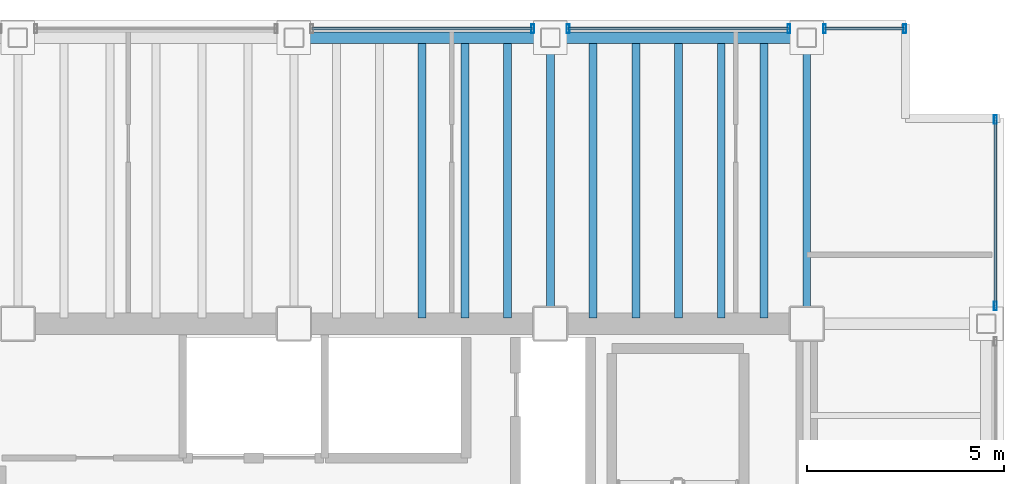
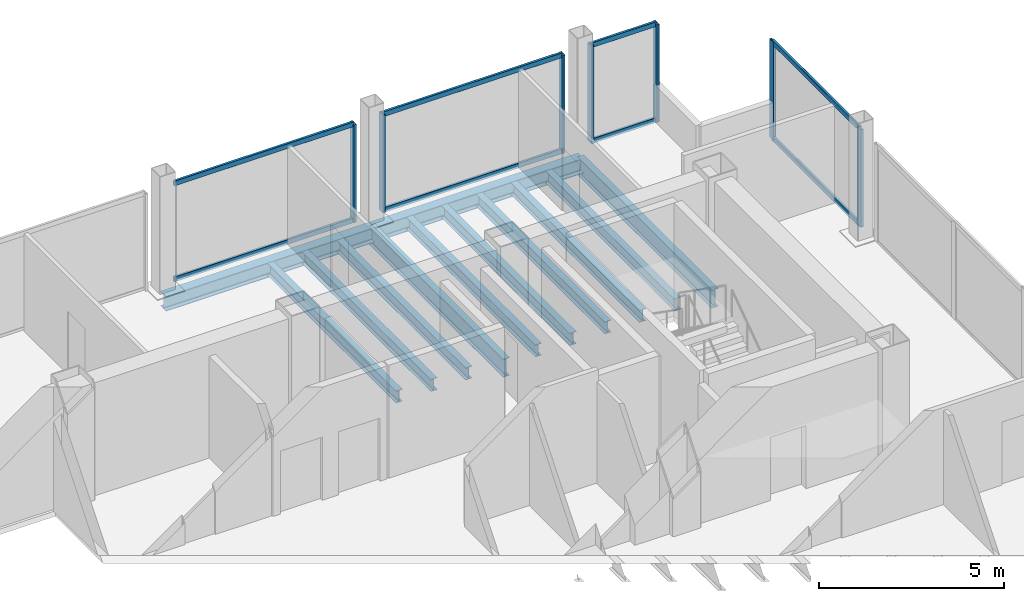
# One storey, part 14 of 19: 15 members, 12 beams, 4 elements without a shape of their own.
"""IFC4 building model written with IfcOpenShell, lengths in metres."""

from ifc_helpers import new_model, si_unit, direction, frame, origin, origin_2d, place, context, subcontext, project, spatial, hollow_rectangle, i_section, extrude, material, material_profile, profile_set, type_object, element, aggregate, save


model = new_model("IFC4")

# Units and contexts
model_context = context("Model", 3, precision=1e-05, world=origin(), true_north=direction((0.0, 1.0)))
body_context = subcontext(model_context, "Body", "Model", "MODEL_VIEW")
ifc_project = project(units=[si_unit("LENGTHUNIT", "METRE"), si_unit("AREAUNIT", "SQUARE_METRE"), si_unit("VOLUMEUNIT", "CUBIC_METRE"), si_unit("PLANEANGLEUNIT", "RADIAN"), si_unit("MASSUNIT", "GRAM", prefix="KILO")], contexts=[model_context])

# Site, building, storey
site_placement = place(None, origin())
site = spatial("IfcSite", under=ifc_project, at=site_placement, CompositionType="ELEMENT")
building_placement = place(site_placement, origin())
building = spatial("IfcBuilding", under=site, at=building_placement, Name="Noeulbin Bourse Tower", CompositionType="ELEMENT")
storey_placement = place(building_placement, frame((0.0, 0.0, 146.10009765625)))
storey = spatial("IfcBuildingStorey", under=building, at=storey_placement, Name="L36", CompositionType="ELEMENT", Elevation=146.10009765625)

# Beams
ifc_material_1 = material(Name="Steel S355", Category="steel")
ifc_material_profile_1 = material_profile(ifc_material_1, i_section(OverallWidth=0.199951171875, OverallDepth=0.60009765625, WebThickness=0.010986328125, FlangeThickness=0.01708984375, FilletRadius=0.02197265625, at=origin_2d()), Name="H-600x200x11x17", Category="LoadBearing")
ifc_profile_set_1 = profile_set([ifc_material_profile_1], Name="Steel S355")
beam_type_1 = type_object("IfcBeamType", Name="BM-GRD-600", PredefinedType="USERDEFINED", material=ifc_profile_set_1)
for number, where, z_axis, x_axis, name in (
    (1, (37.5, 38.300048828125, -0.47998046875), (0.0, 1.0, 0.0), (-1.0, 0.0, 0.0), "Tower Primary Girder NS L36-4.4"),
    (2, (44.0, 38.300048828125, -0.47998046875), (0.0, 1.0, 0.0), (-1.0, 0.0, 0.0), "Tower Primary Girder NS L36-5.4"),
):
    element("IfcBeam", number, at=place(storey_placement, frame(where, z_axis=z_axis, x_axis=x_axis)), inside=storey, type_object=beam_type_1, Name=name, ObjectType="GIRDER", PredefinedType="USERDEFINED", context=body_context, shape_type="SweptSolid", body=[
        extrude(i_section(OverallWidth=0.199951171875, OverallDepth=0.60009765625, WebThickness=0.010986328125, FlangeThickness=0.01708984375, FilletRadius=0.02197265625, at=origin_2d()), origin(), (0.0, 0.0, 1.0), 7.25),
    ])
ifc_material_profile_2 = material_profile(ifc_material_1, i_section(OverallWidth=0.199951171875, OverallDepth=0.39990234375, WebThickness=0.008056640625, FlangeThickness=0.012939453125, FilletRadius=0.01611328125, at=origin_2d()), Name="H-400x200x8x13", Category="LoadBearing")
ifc_profile_set_2 = profile_set([ifc_material_profile_2], Name="Steel S355")
beam_type_2 = type_object("IfcBeamType", Name="BM-SEC-400", PredefinedType="BEAM", material=ifc_profile_set_2)
for number, where, z_axis, x_axis, name in (
    (3, (34.25, 38.449951171875, -0.380126953125), (0.0, 1.0, 0.0), (-1.0, 0.0, 0.0), "Tower Composite Joist L36-48"),
    (4, (35.333251953125, 38.449951171875, -0.380126953125), (0.0, 1.0, 0.0), (-1.0, 0.0, 0.0), "Tower Composite Joist L36-51"),
    (5, (36.416748046875, 38.449951171875, -0.380126953125), (0.0, 1.0, 0.0), (-1.0, 0.0, 0.0), "Tower Composite Joist L36-54"),
    (6, (38.583251953125, 38.449951171875, -0.380126953125), (0.0, 1.0, 0.0), (-1.0, 0.0, 0.0), "Tower Composite Joist L36-57"),
    (7, (39.666748046875, 38.449951171875, -0.380126953125), (0.0, 1.0, 0.0), (-1.0, 0.0, 0.0), "Tower Composite Joist L36-60"),
    (8, (40.75, 38.449951171875, -0.380126953125), (0.0, 1.0, 0.0), (-1.0, 0.0, 0.0), "Tower Composite Joist L36-63"),
    (9, (41.833251953125, 38.449951171875, -0.380126953125), (0.0, 1.0, 0.0), (-1.0, 0.0, 0.0), "Tower Composite Joist L36-66"),
    (10, (42.916748046875, 38.449951171875, -0.380126953125), (0.0, 1.0, 0.0), (-1.0, 0.0, 0.0), "Tower Composite Joist L36-69"),
):
    element("IfcBeam", number, at=place(storey_placement, frame(where, z_axis=z_axis, x_axis=x_axis)), inside=storey, type_object=beam_type_2, Name=name, PredefinedType="BEAM", context=body_context, shape_type="SweptSolid", body=[
        extrude(i_section(OverallWidth=0.199951171875, OverallDepth=0.39990234375, WebThickness=0.008056640625, FlangeThickness=0.012939453125, FilletRadius=0.01611328125, at=origin_2d()), origin(), (0.0, 0.0, 1.0), 6.949951171875),
    ])
ifc_material_profile_3 = material_profile(ifc_material_1, i_section(OverallWidth=0.300048828125, OverallDepth=0.488037109375, WebThickness=0.010986328125, FlangeThickness=0.01806640625, FilletRadius=0.02197265625, at=origin_2d()), Name="H-488x300x11x18", Category="LoadBearing")
ifc_profile_set_3 = profile_set([ifc_material_profile_3], Name="Steel S355")
beam_type_3 = type_object("IfcBeamType", Name="BM-SPN-488", PredefinedType="SPANDREL", material=ifc_profile_set_3)
for number, where, z_axis, x_axis, name in (
    (11, (31.0, 45.550048828125, -0.424072265625), (1.0, 0.0, 0.0), (0.0, 1.0, 0.0), "North Spandrel L36-3"),
    (12, (37.5, 45.550048828125, -0.424072265625), (1.0, 0.0, 0.0), (0.0, 1.0, 0.0), "North Spandrel L36-4"),
):
    element("IfcBeam", number, at=place(storey_placement, frame(where, z_axis=z_axis, x_axis=x_axis)), inside=storey, type_object=beam_type_3, Name=name, PredefinedType="SPANDREL", context=body_context, shape_type="SweptSolid", body=[
        extrude(i_section(OverallWidth=0.300048828125, OverallDepth=0.488037109375, WebThickness=0.010986328125, FlangeThickness=0.01806640625, FilletRadius=0.02197265625, at=origin_2d()), origin(), (0.0, 0.0, 1.0), 6.5),
    ])

# Curtain wall, member
ifc_material_2 = material(Name="Dark Tinted Triple Glazing", Category="glass")
curtain_wall_type = type_object("IfcCurtainWallType", Name="CW-SYS-3", PredefinedType="NOTDEFINED", material=ifc_material_2)
curtain_wall_1_placement = place(storey_placement, origin())
curtain_wall_1 = element("IfcCurtainWall", 13, at=curtain_wall_1_placement, inside=storey, type_object=curtain_wall_type, Name="Unitised Curtain Wall CW-L36-N-S4", PredefinedType="NOTDEFINED")
ifc_material_3 = material(Name="Anodised Aluminium 6063-T6", Category="aluminium")
ifc_material_profile_4 = material_profile(ifc_material_3, hollow_rectangle(XDim=0.074951171875, YDim=0.219970703125, WallThickness=0.0048828125, InnerFilletRadius=0.00244140625, OuterFilletRadius=0.0048828125, at=origin_2d()), Name="ALU-MULL-75x220x5", Category="LoadBearing")
ifc_profile_set_4 = profile_set([ifc_material_profile_4], Name="Anodised Aluminium 6063-T6")
member_type_1 = type_object("IfcMemberType", Name="CW-SYS-3-MUL", PredefinedType="MULLION", material=ifc_profile_set_4)
member_1_placement = place(storey_placement, frame((37.050048828125, 45.780029296875, -0.02001953125), z_axis=(0.0, 0.0, 1.0), x_axis=(1.0, 0.0, 0.0)))
member_1 = element("IfcMember", 14, at=member_1_placement, type_object=member_type_1, Name="Curtain Wall Mullion CW-L36-N-S4-M01", PredefinedType="MULLION", context=body_context, shape_type="SweptSolid", body=[
    extrude(hollow_rectangle(XDim=0.074951171875, YDim=0.219970703125, WallThickness=0.0048828125, InnerFilletRadius=0.00244140625, OuterFilletRadius=0.0048828125, at=origin_2d()), origin(), (0.0, 0.0, 1.0), 3.219970703125),
])

# Curtain wall, members
curtain_wall_2_placement = place(storey_placement, origin())
curtain_wall_2 = element("IfcCurtainWall", 15, at=curtain_wall_2_placement, inside=storey, type_object=curtain_wall_type, Name="Unitised Curtain Wall CW-L36-N-S5", PredefinedType="NOTDEFINED")
member_2_placement = place(storey_placement, frame((37.949951171875, 45.780029296875, -0.02001953125), z_axis=(0.0, 0.0, 1.0), x_axis=(1.0, 0.0, 0.0)))
member_2 = element("IfcMember", 16, at=member_2_placement, type_object=member_type_1, Name="Curtain Wall Mullion CW-L36-N-S5-M00", PredefinedType="MULLION", context=body_context, shape_type="SweptSolid", body=[
    extrude(hollow_rectangle(XDim=0.074951171875, YDim=0.219970703125, WallThickness=0.0048828125, InnerFilletRadius=0.00244140625, OuterFilletRadius=0.0048828125, at=origin_2d()), origin(), (0.0, 0.0, 1.0), 3.219970703125),
])
member_3_placement = place(storey_placement, frame((43.550048828125, 45.780029296875, -0.02001953125), z_axis=(0.0, 0.0, 1.0), x_axis=(1.0, 0.0, 0.0)))
member_3 = element("IfcMember", 17, at=member_3_placement, type_object=member_type_1, Name="Curtain Wall Mullion CW-L36-N-S5-M01", PredefinedType="MULLION", context=body_context, shape_type="SweptSolid", body=[
    extrude(hollow_rectangle(XDim=0.074951171875, YDim=0.219970703125, WallThickness=0.0048828125, InnerFilletRadius=0.00244140625, OuterFilletRadius=0.0048828125, at=origin_2d()), origin(), (0.0, 0.0, 1.0), 3.219970703125),
])

curtain_wall_3_placement = place(storey_placement, origin())
curtain_wall_3 = element("IfcCurtainWall", 18, at=curtain_wall_3_placement, inside=storey, type_object=curtain_wall_type, Name="Unitised Curtain Wall CW-L36-N-S6", PredefinedType="NOTDEFINED")
member_4_placement = place(storey_placement, frame((44.449951171875, 45.780029296875, -0.02001953125), z_axis=(0.0, 0.0, 1.0), x_axis=(1.0, 0.0, 0.0)))
member_4 = element("IfcMember", 19, at=member_4_placement, type_object=member_type_1, Name="Curtain Wall Mullion CW-L36-N-S6-M00", PredefinedType="MULLION", context=body_context, shape_type="SweptSolid", body=[
    extrude(hollow_rectangle(XDim=0.074951171875, YDim=0.219970703125, WallThickness=0.0048828125, InnerFilletRadius=0.00244140625, OuterFilletRadius=0.0048828125, at=origin_2d()), origin(), (0.0, 0.0, 1.0), 3.219970703125),
])
member_5_placement = place(storey_placement, frame((46.47998046875, 45.780029296875, -0.02001953125), z_axis=(0.0, 0.0, 1.0), x_axis=(1.0, 0.0, 0.0)))
member_5 = element("IfcMember", 20, at=member_5_placement, type_object=member_type_1, Name="Curtain Wall Mullion CW-L36-N-S6-M01", PredefinedType="MULLION", context=body_context, shape_type="SweptSolid", body=[
    extrude(hollow_rectangle(XDim=0.074951171875, YDim=0.219970703125, WallThickness=0.0048828125, InnerFilletRadius=0.00244140625, OuterFilletRadius=0.0048828125, at=origin_2d()), origin(), (0.0, 0.0, 1.0), 3.219970703125),
])

curtain_wall_4_placement = place(storey_placement, origin())
curtain_wall_4 = element("IfcCurtainWall", 21, at=curtain_wall_4_placement, inside=storey, type_object=curtain_wall_type, Name="Unitised Curtain Wall CW-L36-E-S3", PredefinedType="NOTDEFINED")
member_6_placement = place(storey_placement, frame((48.780029296875, 38.75, -0.02001953125), z_axis=(0.0, 0.0, 1.0), x_axis=(1.0, 0.0, 0.0)))
member_6 = element("IfcMember", 22, at=member_6_placement, type_object=member_type_1, Name="Curtain Wall Mullion CW-L36-E-S3-M00", PredefinedType="MULLION", context=body_context, shape_type="SweptSolid", body=[
    extrude(hollow_rectangle(XDim=0.074951171875, YDim=0.219970703125, WallThickness=0.0048828125, InnerFilletRadius=0.00244140625, OuterFilletRadius=0.0048828125, at=origin_2d()), origin(), (0.0, 0.0, 1.0), 3.219970703125),
])
member_7_placement = place(storey_placement, frame((48.780029296875, 43.47998046875, -0.02001953125), z_axis=(0.0, 0.0, 1.0), x_axis=(1.0, 0.0, 0.0)))
member_7 = element("IfcMember", 23, at=member_7_placement, type_object=member_type_1, Name="Curtain Wall Mullion CW-L36-E-S3-M01", PredefinedType="MULLION", context=body_context, shape_type="SweptSolid", body=[
    extrude(hollow_rectangle(XDim=0.074951171875, YDim=0.219970703125, WallThickness=0.0048828125, InnerFilletRadius=0.00244140625, OuterFilletRadius=0.0048828125, at=origin_2d()), origin(), (0.0, 0.0, 1.0), 3.219970703125),
])

# Member
ifc_material_profile_5 = material_profile(ifc_material_3, hollow_rectangle(XDim=0.074951171875, YDim=0.159912109375, WallThickness=0.0048828125, InnerFilletRadius=0.00244140625, OuterFilletRadius=0.0048828125, at=origin_2d()), Name="ALU-TRAN-75x160x5", Category="LoadBearing")
ifc_profile_set_5 = profile_set([ifc_material_profile_5], Name="Anodised Aluminium 6063-T6")
member_type_2 = type_object("IfcMemberType", Name="CW-SYS-3-TRN", PredefinedType="USERDEFINED", material=ifc_profile_set_5)
member_8_placement = place(storey_placement, frame((31.4599609375, 45.780029296875, 0.010009765625), z_axis=(1.0, 0.0, 0.0), x_axis=(0.0, 1.0, 0.0)))
member_8 = element("IfcMember", 24, at=member_8_placement, type_object=member_type_2, Name="Curtain Wall Transom CW-L36-N-S4-T00", ObjectType="TRANSOM", PredefinedType="USERDEFINED", context=body_context, shape_type="SweptSolid", body=[
    extrude(hollow_rectangle(XDim=0.074951171875, YDim=0.159912109375, WallThickness=0.0048828125, InnerFilletRadius=0.00244140625, OuterFilletRadius=0.0048828125, at=origin_2d()), origin(), (0.0, 0.0, 1.0), 5.580078125),
])

member_9_placement = place(storey_placement, frame((31.4599609375, 45.780029296875, 3.169921875), z_axis=(1.0, 0.0, 0.0), x_axis=(0.0, 1.0, 0.0)))
member_9 = element("IfcMember", 25, at=member_9_placement, type_object=member_type_2, Name="Curtain Wall Transom CW-L36-N-S4-T01", ObjectType="TRANSOM", PredefinedType="USERDEFINED", context=body_context, shape_type="SweptSolid", body=[
    extrude(hollow_rectangle(XDim=0.074951171875, YDim=0.159912109375, WallThickness=0.0048828125, InnerFilletRadius=0.00244140625, OuterFilletRadius=0.0048828125, at=origin_2d()), origin(), (0.0, 0.0, 1.0), 5.580078125),
])

aggregate(curtain_wall_1, [member_1, member_8, member_9])

member_10_placement = place(storey_placement, frame((37.9599609375, 45.780029296875, 0.010009765625), z_axis=(1.0, 0.0, 0.0), x_axis=(0.0, 1.0, 0.0)))
member_10 = element("IfcMember", 26, at=member_10_placement, type_object=member_type_2, Name="Curtain Wall Transom CW-L36-N-S5-T00", ObjectType="TRANSOM", PredefinedType="USERDEFINED", context=body_context, shape_type="SweptSolid", body=[
    extrude(hollow_rectangle(XDim=0.074951171875, YDim=0.159912109375, WallThickness=0.0048828125, InnerFilletRadius=0.00244140625, OuterFilletRadius=0.0048828125, at=origin_2d()), origin(), (0.0, 0.0, 1.0), 5.580078125),
])

member_11_placement = place(storey_placement, frame((37.9599609375, 45.780029296875, 3.169921875), z_axis=(1.0, 0.0, 0.0), x_axis=(0.0, 1.0, 0.0)))
member_11 = element("IfcMember", 27, at=member_11_placement, type_object=member_type_2, Name="Curtain Wall Transom CW-L36-N-S5-T01", ObjectType="TRANSOM", PredefinedType="USERDEFINED", context=body_context, shape_type="SweptSolid", body=[
    extrude(hollow_rectangle(XDim=0.074951171875, YDim=0.159912109375, WallThickness=0.0048828125, InnerFilletRadius=0.00244140625, OuterFilletRadius=0.0048828125, at=origin_2d()), origin(), (0.0, 0.0, 1.0), 5.580078125),
])

aggregate(curtain_wall_2, [member_2, member_3, member_10, member_11])

member_12_placement = place(storey_placement, frame((44.4599609375, 45.780029296875, 0.010009765625), z_axis=(1.0, 0.0, 0.0), x_axis=(0.0, 1.0, 0.0)))
member_12 = element("IfcMember", 28, at=member_12_placement, type_object=member_type_2, Name="Curtain Wall Transom CW-L36-N-S6-T00", ObjectType="TRANSOM", PredefinedType="USERDEFINED", context=body_context, shape_type="SweptSolid", body=[
    extrude(hollow_rectangle(XDim=0.074951171875, YDim=0.159912109375, WallThickness=0.0048828125, InnerFilletRadius=0.00244140625, OuterFilletRadius=0.0048828125, at=origin_2d()), origin(), (0.0, 0.0, 1.0), 2.010009765625),
])

member_13_placement = place(storey_placement, frame((44.4599609375, 45.780029296875, 3.169921875), z_axis=(1.0, 0.0, 0.0), x_axis=(0.0, 1.0, 0.0)))
member_13 = element("IfcMember", 29, at=member_13_placement, type_object=member_type_2, Name="Curtain Wall Transom CW-L36-N-S6-T01", ObjectType="TRANSOM", PredefinedType="USERDEFINED", context=body_context, shape_type="SweptSolid", body=[
    extrude(hollow_rectangle(XDim=0.074951171875, YDim=0.159912109375, WallThickness=0.0048828125, InnerFilletRadius=0.00244140625, OuterFilletRadius=0.0048828125, at=origin_2d()), origin(), (0.0, 0.0, 1.0), 2.010009765625),
])

aggregate(curtain_wall_3, [member_4, member_5, member_12, member_13])

member_14_placement = place(storey_placement, frame((48.780029296875, 38.760009765625, 0.010009765625), z_axis=(0.0, 1.0, 0.0), x_axis=(-1.0, 0.0, 0.0)))
member_14 = element("IfcMember", 30, at=member_14_placement, type_object=member_type_2, Name="Curtain Wall Transom CW-L36-E-S3-T00", ObjectType="TRANSOM", PredefinedType="USERDEFINED", context=body_context, shape_type="SweptSolid", body=[
    extrude(hollow_rectangle(XDim=0.074951171875, YDim=0.159912109375, WallThickness=0.0048828125, InnerFilletRadius=0.00244140625, OuterFilletRadius=0.0048828125, at=origin_2d()), origin(), (0.0, 0.0, 1.0), 4.7099609375),
])

member_15_placement = place(storey_placement, frame((48.780029296875, 38.760009765625, 3.169921875), z_axis=(0.0, 1.0, 0.0), x_axis=(-1.0, 0.0, 0.0)))
member_15 = element("IfcMember", 31, at=member_15_placement, type_object=member_type_2, Name="Curtain Wall Transom CW-L36-E-S3-T01", ObjectType="TRANSOM", PredefinedType="USERDEFINED", context=body_context, shape_type="SweptSolid", body=[
    extrude(hollow_rectangle(XDim=0.074951171875, YDim=0.159912109375, WallThickness=0.0048828125, InnerFilletRadius=0.00244140625, OuterFilletRadius=0.0048828125, at=origin_2d()), origin(), (0.0, 0.0, 1.0), 4.7099609375),
])

aggregate(curtain_wall_4, [member_6, member_7, member_14, member_15])

save(model, "model.ifc")
